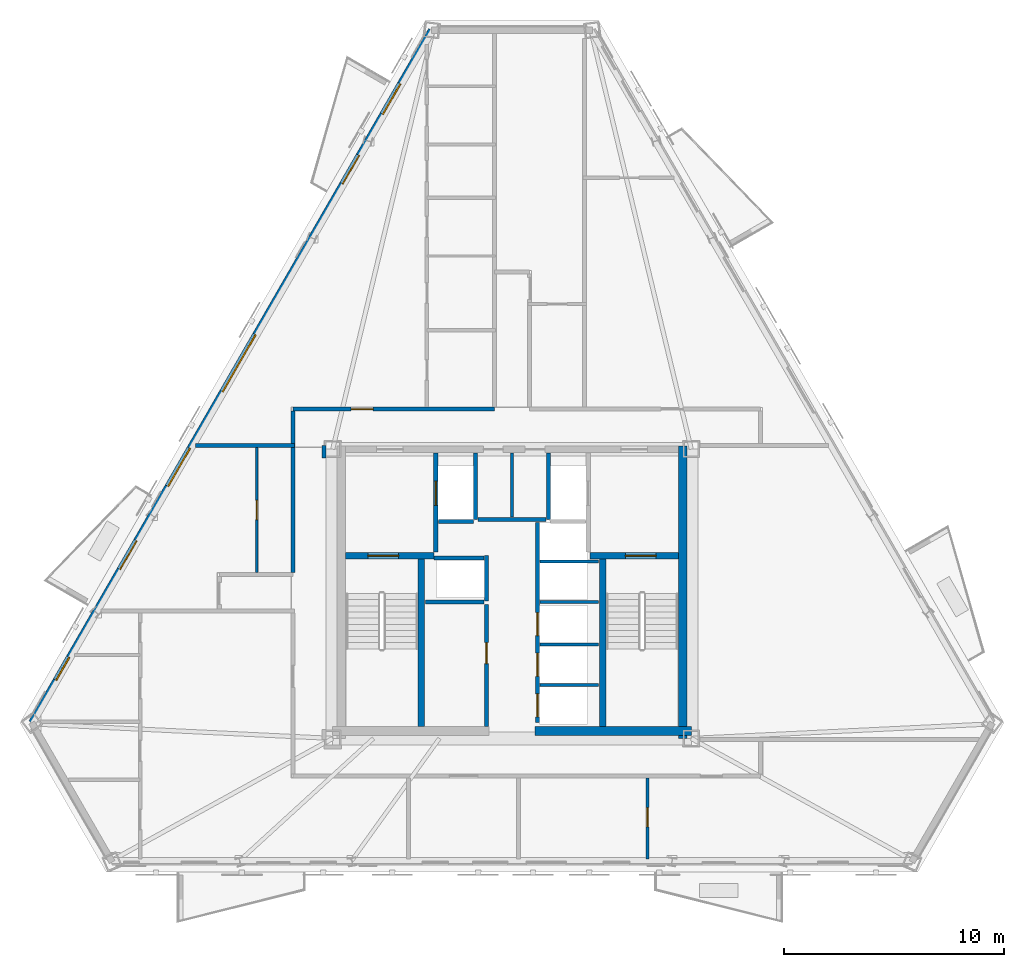
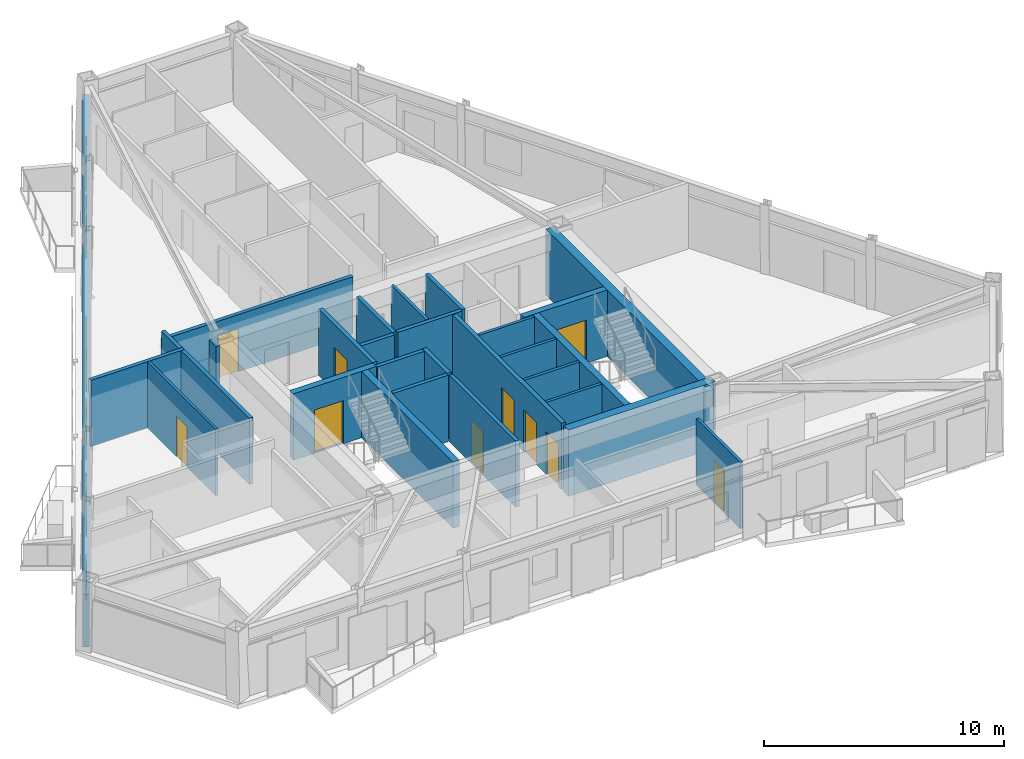
# One storey, part 3 of 9: 28 walls, 12 doors, 4 windows, 16 openings.
"""IFC4 building model written with IfcOpenShell, lengths in metres."""

import ifcopenshell
import ifcopenshell.guid

model = None  # the IFC model being written
_history = None  # IfcOwnerHistory: only IFC2X3 demands one
_inside = {}  # id of a spatial element -> (the spatial element, [elements in it])
_under = {}  # id of a project, library or spatial element -> (it, [spatial elements below it])
_declared = {}  # id of a project -> (the project, [libraries it declares])
_typed = {}  # id of a type object -> (the type object, [elements of that type])
_made_of = {}  # id of a material, layer set ... -> (it, [elements and type objects made of it])


def new_model(schema):
    """Start an empty IFC model of exactly this schema.

    Asked for "IFC4X3", IfcOpenShell would pick the latest addendum, in which some entities
    have other attributes; the version numbers below select the first issue.
    IFC2X3 requires an IfcOwnerHistory on every rooted entity: one is made here for all.
    """
    global model, _history
    if schema == "IFC4X3":
        model = ifcopenshell.file(schema_version=(4, 3, 0, 0))
    else:
        model = ifcopenshell.file(schema=schema)
    _inside.clear()
    _under.clear()
    _declared.clear()
    _typed.clear()
    _made_of.clear()
    _history = None
    if model.schema == "IFC2X3":
        org = make("IfcOrganization", Name="unknown")
        user = make(
            "IfcPersonAndOrganization",
            ThePerson=make("IfcPerson", FamilyName="unknown"),
            TheOrganization=org,
        )
        app = make(
            "IfcApplication",
            ApplicationDeveloper=org,
            Version="unknown",
            ApplicationFullName="unknown",
            ApplicationIdentifier="unknown",
        )
        _history = make(
            "IfcOwnerHistory",
            OwningUser=user,
            OwningApplication=app,
            ChangeAction="ADDED",
            CreationDate=0,
        )
    return model


def make(cls, **values):
    """One entity of the class cls with the attributes given. An attribute that is None is left unset."""
    return model.create_entity(
        cls, **{name: value for name, value in values.items() if value is not None}
    )


def rooted(cls, **values):
    """An entity with a GlobalId (a new one), such as an element, a storey or a relation."""
    return make(cls, GlobalId=ifcopenshell.guid.new(), OwnerHistory=_history, **values)


def si_unit(unit_type, name, prefix=None):
    """IfcSIUnit, for example si_unit("LENGTHUNIT", "METRE", prefix="MILLI")."""
    return make("IfcSIUnit", UnitType=unit_type, Prefix=prefix, Name=name)


def assignment(units):
    """IfcUnitAssignment: the units of a project."""
    return None if units is None else make("IfcUnitAssignment", Units=units)


def point(xyz):
    """IfcCartesianPoint."""
    return None if xyz is None else make("IfcCartesianPoint", Coordinates=xyz)


def direction(xyz):
    """IfcDirection."""
    return None if xyz is None else make("IfcDirection", DirectionRatios=xyz)


def frame(location, z_axis=None, x_axis=None):
    """IfcAxis2Placement3D, a coordinate frame: its origin and axes. An axis left out is left unset."""
    return make(
        "IfcAxis2Placement3D",
        Location=point(location),
        Axis=direction(z_axis),
        RefDirection=direction(x_axis),
    )


def frame_2d(location, x_axis=None):
    """IfcAxis2Placement2D, a coordinate frame in the plane: its origin and x axis."""
    return make(
        "IfcAxis2Placement2D", Location=point(location), RefDirection=direction(x_axis)
    )


def origin():
    """The frame at (0, 0, 0) with its axes left unset."""
    return frame((0.0, 0.0, 0.0))


def place(relative_to, where):
    """IfcLocalPlacement: puts the frame where relative to a parent placement (None: the world)."""
    return make(
        "IfcLocalPlacement", PlacementRelTo=relative_to, RelativePlacement=where
    )


def context(
    kind, dimensions, precision=None, world=None, true_north=None, identifier=None
):
    """IfcGeometricRepresentationContext, for example the 3D "Model" context."""
    return make(
        "IfcGeometricRepresentationContext",
        ContextIdentifier=identifier,
        ContextType=kind,
        CoordinateSpaceDimension=dimensions,
        Precision=precision,
        WorldCoordinateSystem=world,
        TrueNorth=true_north,
    )


def subcontext(parent, identifier, kind, view, scale=None):
    """IfcGeometricRepresentationSubContext, for example "Body" below "Model"."""
    return make(
        "IfcGeometricRepresentationSubContext",
        ContextIdentifier=identifier,
        ContextType=kind,
        ParentContext=parent,
        TargetScale=scale,
        TargetView=view,
    )


def project(units=None, contexts=None):
    """IfcProject with its units and contexts."""
    return rooted(
        "IfcProject",
        Name="project",
        RepresentationContexts=contexts,
        UnitsInContext=assignment(units),
    )


def spatial(cls, under=None, at=None, **own):
    """A site, building, storey or space (cls), placed at a placement, below another one or the project."""
    s = rooted(cls, ObjectPlacement=at, **own)
    if under is not None:
        _under.setdefault(under.id(), (under, []))[1].append(s)
    return s


def profile(cls, at=None, kind="AREA", **sizes):
    """A parametric profile (cls). Its sizes go by their IFC names, for example OverallWidth=200.0."""
    return make(cls, ProfileType=kind, Position=at, **sizes)


def rectangle(**sizes):
    """IfcRectangleProfileDef."""
    return profile("IfcRectangleProfileDef", **sizes)


def extrude(swept, where, along, depth):
    """IfcExtrudedAreaSolid: the profile swept, set in the frame where, extruded along a direction by depth."""
    return make(
        "IfcExtrudedAreaSolid",
        SweptArea=swept,
        Position=where,
        ExtrudedDirection=direction(along),
        Depth=depth,
    )


def shape(context_of_items, identifier, shape_type, items):
    """IfcShapeRepresentation: the items that make up one representation, for example the "Body"."""
    return make(
        "IfcShapeRepresentation",
        ContextOfItems=context_of_items,
        RepresentationIdentifier=identifier,
        RepresentationType=shape_type,
        Items=items,
    )


def material(Name=None, Category=None):
    """IfcMaterial."""
    return make("IfcMaterial", Name=Name, Category=Category)


def layer(
    of_material, thickness, ventilated=None, Name=None, Category=None, Priority=None
):
    """IfcMaterialLayer: one layer of a wall or slab, of a material (None: an air gap)."""
    return make(
        "IfcMaterialLayer",
        Material=of_material,
        LayerThickness=thickness,
        IsVentilated=ventilated,
        Name=Name,
        Category=Category,
        Priority=Priority,
    )


def layer_set(layers, Name=None):
    """IfcMaterialLayerSet."""
    return make("IfcMaterialLayerSet", MaterialLayers=layers, LayerSetName=Name)


def made_of(thing, what):
    """Note that an element or type object is made of a material, layer set ...; save() writes the relation."""
    if what is not None:
        _made_of.setdefault(what.id(), (what, []))[1].append(thing)
    return thing


def type_object(cls, material=None, **own):
    """A type object (cls), such as IfcWallType, which elements share."""
    return made_of(rooted(cls, **own), material)


def element(
    cls,
    number,
    at=None,
    inside=None,
    cuts=None,
    type_object=None,
    material=None,
    context=None,
    identifier="Body",
    shape_type=None,
    held_by="IfcProductDefinitionShape",
    body=None,
    shapes=None,
    **own,
):
    """One element of the class cls, such as IfcWall. Its Tag is "e" and its number.

    at: its placement. inside: the storey or other place that contains it. cuts: it is an
    opening in that element (IfcRelVoidsElement). A single representation is given by context,
    identifier, shape_type and body (its items); several are given by shapes. held_by: the class
    of the entity that holds the representations. save() writes the other relations.
    """
    e = rooted(cls, Tag="e%d" % number, ObjectPlacement=at, **own)
    if body is not None:
        shapes = [shape(context, identifier, shape_type, body)]
    if shapes is not None:
        e.Representation = make(held_by, Representations=shapes)
    if inside is not None:
        _inside.setdefault(inside.id(), (inside, []))[1].append(e)
    if cuts is not None:
        rooted(
            "IfcRelVoidsElement", RelatingBuildingElement=cuts, RelatedOpeningElement=e
        )
    if type_object is not None:
        _typed.setdefault(type_object.id(), (type_object, []))[1].append(e)
    return made_of(e, material)


def fill(opening, filler):
    """IfcRelFillsElement: the door or window that sits in an opening."""
    return rooted(
        "IfcRelFillsElement",
        RelatingOpeningElement=opening,
        RelatedBuildingElement=filler,
    )


def aggregate(whole, parts):
    """IfcRelAggregates: a whole, such as a stair, and the parts it consists of."""
    return rooted("IfcRelAggregates", RelatingObject=whole, RelatedObjects=parts)


def save(model, path):
    """Write the relations noted so far, then the file.

    IfcRelAggregates (storeys below a building ...), IfcRelContainedInSpatialStructure (elements
    in a storey), IfcRelDefinesByType, IfcRelAssociatesMaterial and IfcRelDeclares: one each for
    every whole, place, type object, material and project.
    """
    for whole, parts in _under.values():
        aggregate(whole, parts)
    for where, things in _inside.values():
        rooted(
            "IfcRelContainedInSpatialStructure",
            RelatedElements=things,
            RelatingStructure=where,
        )
    for kind, things in _typed.values():
        rooted("IfcRelDefinesByType", RelatedObjects=things, RelatingType=kind)
    for what, things in _made_of.values():
        rooted("IfcRelAssociatesMaterial", RelatedObjects=things, RelatingMaterial=what)
    for by, libraries in _declared.values():
        rooted("IfcRelDeclares", RelatingContext=by, RelatedDefinitions=libraries)
    model.write(path)


model = new_model("IFC4")

# Units and contexts
model_context = context("Model", 3, precision=1e-05, world=origin(), true_north=direction((0.0, 1.0)))
body_context = subcontext(model_context, "Body", "Model", "MODEL_VIEW")
ifc_project = project(units=[si_unit("LENGTHUNIT", "METRE"), si_unit("AREAUNIT", "SQUARE_METRE"), si_unit("VOLUMEUNIT", "CUBIC_METRE"), si_unit("PLANEANGLEUNIT", "RADIAN"), si_unit("MASSUNIT", "GRAM", prefix="KILO")], contexts=[model_context])

# Site, building, storey
site_placement = place(None, origin())
site = spatial("IfcSite", under=ifc_project, at=site_placement, CompositionType="ELEMENT")
building_placement = place(site_placement, origin())
building = spatial("IfcBuilding", under=site, at=building_placement, Name="Oramaril Tower", CompositionType="ELEMENT")
storey_placement = place(building_placement, frame((0.0, 0.0, 201.0)))
storey = spatial("IfcBuildingStorey", under=building, at=storey_placement, Name="L53", CompositionType="ELEMENT", Elevation=201.0)

# Wall, openings, doors, windows
ifc_material_1 = material(Name="Warm Cream Limestone", Category="masonry")
ifc_layer_1 = layer(ifc_material_1, 0.2900390625)
ifc_layer_set_1 = layer_set([ifc_layer_1], Name="WT-EXT29")
wall_type_1 = type_object("IfcWallType", Name="WT-EXT29", PredefinedType="SOLIDWALL", material=ifc_layer_set_1)
wall_1_placement = place(storey_placement, frame((33.8408203125, 43.200439453125, 0.0), z_axis=(0.0, 0.0, 1.0), x_axis=(-0.500001310321, -0.866024647269, 0.0)))
wall_1 = element("IfcWall", 1, at=wall_1_placement, inside=storey, type_object=wall_type_1, Name="L53 Tower Limestone Facade Wall 6M", PredefinedType="SOLIDWALL", context=body_context, shape_type="SweptSolid", body=[
    extrude(rectangle(XDim=36.35205078125, YDim=0.2900390625, at=frame_2d((18.176025390625, 0.0))), origin(), (0.0, 0.0, 1.0), 2.677001953125),
])
opening_1_placement = place(wall_1_placement, frame((6.579345703125, 0.0, 0.0)))
opening_1 = element("IfcOpeningElement", 2, at=opening_1_placement, cuts=wall_1, Name="Opening D-L53-BAL-NW1", PredefinedType="OPENING", context=body_context, shape_type="SweptSolid", body=[
    extrude(rectangle(XDim=1.5, YDim=2.199951171875, at=frame_2d((0.75, 1.10009765625))), frame((0.0, 0.14501953125, 0.0), z_axis=(0.0, -1.0, 0.0), x_axis=(1.0, 0.0, 0.0)), (0.0, 0.0, 1.0), 0.2900390625),
])
opening_2_placement = place(wall_1_placement, frame((26.817626953125, 0.0, 0.0)))
opening_2 = element("IfcOpeningElement", 3, at=opening_2_placement, cuts=wall_1, Name="Opening D-L53-BAL-NW2", PredefinedType="OPENING", context=body_context, shape_type="SweptSolid", body=[
    extrude(rectangle(XDim=1.5, YDim=2.199951171875, at=frame_2d((0.75, 1.10009765625))), frame((0.0, 0.14501953125, 0.0), z_axis=(0.0, -1.0, 0.0), x_axis=(1.0, 0.0, 0.0)), (0.0, 0.0, 1.0), 0.2900390625),
])
opening_3_placement = place(wall_1_placement, frame((32.92431640625, 0.0, 0.85009765625)))
opening_3 = element("IfcOpeningElement", 4, at=opening_3_placement, cuts=wall_1, Name="Opening WN-09", PredefinedType="OPENING", context=body_context, shape_type="SweptSolid", body=[
    extrude(rectangle(XDim=1.199951171875, YDim=1.47998046875, at=frame_2d((0.60009765625, 0.739990234375))), frame((0.0, 0.14501953125, 0.0), z_axis=(0.0, -1.0, 0.0), x_axis=(1.0, 0.0, 0.0)), (0.0, 0.0, 1.0), 0.2900390625),
])
opening_4_placement = place(wall_1_placement, frame((21.949462890625, 0.0, 0.85009765625)))
opening_4 = element("IfcOpeningElement", 5, at=opening_4_placement, cuts=wall_1, Name="Opening WN-05", PredefinedType="OPENING", context=body_context, shape_type="SweptSolid", body=[
    extrude(rectangle(XDim=2.0, YDim=1.717041015625, at=frame_2d((1.0, 0.8583984375))), frame((0.0, 0.14501953125, 0.0), z_axis=(0.0, -1.0, 0.0), x_axis=(1.0, 0.0, 0.0)), (0.0, 0.0, 1.0), 0.2900390625),
])
opening_5_placement = place(wall_1_placement, frame((2.823486328125, 0.0, 0.85009765625)))
opening_5 = element("IfcOpeningElement", 6, at=opening_5_placement, cuts=wall_1, Name="Opening WN-07", PredefinedType="OPENING", context=body_context, shape_type="SweptSolid", body=[
    extrude(rectangle(XDim=1.60009765625, YDim=1.699951171875, at=frame_2d((0.800048828125, 0.85009765625))), frame((0.0, 0.14501953125, 0.0), z_axis=(0.0, -1.0, 0.0), x_axis=(1.0, 0.0, 0.0)), (0.0, 0.0, 1.0), 0.2900390625),
])
opening_6_placement = place(wall_1_placement, frame((15.990478515625, 0.0, 0.85009765625)))
opening_6 = element("IfcOpeningElement", 7, at=opening_6_placement, cuts=wall_1, Name="Opening WN-10", PredefinedType="OPENING", context=body_context, shape_type="SweptSolid", body=[
    extrude(rectangle(XDim=3.0, YDim=1.717041015625, at=frame_2d((1.5, 0.8583984375))), frame((0.0, 0.14501953125, 0.0), z_axis=(0.0, -1.0, 0.0), x_axis=(1.0, 0.0, 0.0)), (0.0, 0.0, 1.0), 0.2900390625),
])
ifc_material_2 = material(Name="Anodised Aluminium 6063-T6", Category="aluminium")
door_type_1 = type_object("IfcDoorType", Name="DT-BAL", OperationType="NOTDEFINED", PredefinedType="DOOR", material=ifc_material_2)
door_1_placement = place(opening_1_placement, origin())
door_1 = element("IfcDoor", 8, at=door_1_placement, inside=storey, type_object=door_type_1, Name="L53 Balcony Glazed Door L53-BAL-NW1", OperationType="SINGLE_SWING_RIGHT", OverallHeight=2.199951171875, OverallWidth=1.5, PredefinedType="DOOR", context=body_context, shape_type="SweptSolid", body=[
    extrude(rectangle(XDim=1.5, YDim=2.199951171875, at=frame_2d((0.75, 1.10009765625))), frame((0.0, 0.02490234375, 0.0), z_axis=(0.0, -1.0, 0.0), x_axis=(1.0, 0.0, 0.0)), (0.0, 0.0, 1.0), 0.050048828125),
])
fill(opening_1, door_1)
door_2_placement = place(opening_2_placement, origin())
door_2 = element("IfcDoor", 9, at=door_2_placement, inside=storey, type_object=door_type_1, Name="L53 Balcony Glazed Door L53-BAL-NW2", OperationType="SINGLE_SWING_LEFT", OverallHeight=2.199951171875, OverallWidth=1.5, PredefinedType="DOOR", context=body_context, shape_type="SweptSolid", body=[
    extrude(rectangle(XDim=1.5, YDim=2.199951171875, at=frame_2d((0.75, 1.10009765625))), frame((0.0, 0.02490234375, 0.0), z_axis=(0.0, -1.0, 0.0), x_axis=(1.0, 0.0, 0.0)), (0.0, 0.0, 1.0), 0.050048828125),
])
fill(opening_2, door_2)
ifc_material_3 = material(Name="Coastal Low-E Insulated Glass", Category="glass")
window_type_1 = type_object("IfcWindowType", Name="WNT-05", PartitioningType="SINGLE_PANEL", PredefinedType="WINDOW", material=ifc_material_3)
window_1_placement = place(opening_4_placement, origin())
window_1 = element("IfcWindow", 10, at=window_1_placement, inside=storey, type_object=window_type_1, Name="L53 Chicago Bay Window WN-05", OverallHeight=1.717041015625, OverallWidth=2.0, PartitioningType="SINGLE_PANEL", PredefinedType="WINDOW", context=body_context, shape_type="SweptSolid", body=[
    extrude(rectangle(XDim=2.0, YDim=1.717041015625, at=frame_2d((1.0, 0.8583984375))), frame((0.0, 0.030029296875, 0.0), z_axis=(0.0, -1.0, 0.0), x_axis=(1.0, 0.0, 0.0)), (0.0, 0.0, 1.0), 0.06005859375),
])
fill(opening_4, window_1)
ifc_material_4 = material(Name="Coastal Low-E Insulated Glass", Category="glass")
window_type_2 = type_object("IfcWindowType", Name="WNT-07", PartitioningType="SINGLE_PANEL", PredefinedType="WINDOW", material=ifc_material_4)
window_2_placement = place(opening_5_placement, origin())
window_2 = element("IfcWindow", 11, at=window_2_placement, inside=storey, type_object=window_type_2, Name="L53 Chicago Bay Window WN-07", OverallHeight=1.699951171875, OverallWidth=1.60009765625, PartitioningType="SINGLE_PANEL", PredefinedType="WINDOW", context=body_context, shape_type="SweptSolid", body=[
    extrude(rectangle(XDim=1.60009765625, YDim=1.699951171875, at=frame_2d((0.800048828125, 0.85009765625))), frame((0.0, 0.030029296875, 0.0), z_axis=(0.0, -1.0, 0.0), x_axis=(1.0, 0.0, 0.0)), (0.0, 0.0, 1.0), 0.06005859375),
])
fill(opening_5, window_2)
ifc_material_5 = material(Name="Coastal Low-E Insulated Glass", Category="glass")
window_type_3 = type_object("IfcWindowType", Name="WNT-09", PartitioningType="SINGLE_PANEL", PredefinedType="WINDOW", material=ifc_material_5)
window_3_placement = place(opening_3_placement, origin())
window_3 = element("IfcWindow", 12, at=window_3_placement, inside=storey, type_object=window_type_3, Name="L53 Chicago Bay Window WN-09", OverallHeight=1.47998046875, OverallWidth=1.199951171875, PartitioningType="SINGLE_PANEL", PredefinedType="WINDOW", context=body_context, shape_type="SweptSolid", body=[
    extrude(rectangle(XDim=1.199951171875, YDim=1.47998046875, at=frame_2d((0.60009765625, 0.739990234375))), frame((0.0, 0.030029296875, 0.0), z_axis=(0.0, -1.0, 0.0), x_axis=(1.0, 0.0, 0.0)), (0.0, 0.0, 1.0), 0.06005859375),
])
fill(opening_3, window_3)
ifc_material_6 = material(Name="Coastal Low-E Insulated Glass", Category="glass")
window_type_4 = type_object("IfcWindowType", Name="WNT-10", PartitioningType="SINGLE_PANEL", PredefinedType="WINDOW", material=ifc_material_6)
window_4_placement = place(opening_6_placement, origin())
window_4 = element("IfcWindow", 13, at=window_4_placement, inside=storey, type_object=window_type_4, Name="L53 Chicago Bay Window WN-10", OverallHeight=1.717041015625, OverallWidth=3.0, PartitioningType="SINGLE_PANEL", PredefinedType="WINDOW", context=body_context, shape_type="SweptSolid", body=[
    extrude(rectangle(XDim=3.0, YDim=1.717041015625, at=frame_2d((1.5, 0.8583984375))), frame((0.0, 0.030029296875, 0.0), z_axis=(0.0, -1.0, 0.0), x_axis=(1.0, 0.0, 0.0)), (0.0, 0.0, 1.0), 0.06005859375),
])
fill(opening_6, window_4)

# Wall, opening, door
ifc_material_7 = material(Name="Acoustic Gypsum Board Partition")
ifc_layer_2 = layer(ifc_material_7, 0.1201171875)
ifc_layer_set_2 = layer_set([ifc_layer_2], Name="WT-PT12")
wall_type_2 = type_object("IfcWallType", Name="WT-PT12", PredefinedType="PARTITIONING", material=ifc_layer_set_2)
wall_2_placement = place(storey_placement, frame((25.89990234375, 18.5439453125, 0.0), z_axis=(0.0, 0.0, 1.0), x_axis=(0.0, 1.0, 0.0)))
wall_2 = element("IfcWall", 14, at=wall_2_placement, inside=storey, type_object=wall_type_2, Name="L53 Interior Partition PT-12", PredefinedType="PARTITIONING", context=body_context, shape_type="SweptSolid", body=[
    extrude(rectangle(XDim=5.68212890625, YDim=0.1201171875, at=frame_2d((2.841064453125, 0.0))), origin(), (0.0, 0.0, 1.0), 3.3798828125),
])
opening_7_placement = place(wall_2_placement, frame((2.40087890625, 0.0, 0.0)))
opening_7 = element("IfcOpeningElement", 15, at=opening_7_placement, cuts=wall_2, Name="Opening D-L53-12", PredefinedType="OPENING", context=body_context, shape_type="SweptSolid", body=[
    extrude(rectangle(XDim=0.8798828125, YDim=2.080078125, at=frame_2d((0.43994140625, 1.0400390625))), frame((0.0, 0.06005859375, 0.0), z_axis=(0.0, -1.0, 0.0), x_axis=(1.0, 0.0, 0.0)), (0.0, 0.0, 1.0), 0.1201171875),
])
ifc_material_8 = material(Name="FSC Brazilian Freijo Hardwood", Category="wood")
door_type_2 = type_object("IfcDoorType", Name="DT-BATH", OperationType="NOTDEFINED", PredefinedType="DOOR", material=ifc_material_8)
door_3_placement = place(opening_7_placement, origin())
door_3 = element("IfcDoor", 16, at=door_3_placement, inside=storey, type_object=door_type_2, Name="L53 Flat L53-U3 Bathroom Door D-L53-12", OperationType="SINGLE_SWING_RIGHT", OverallHeight=2.080078125, OverallWidth=0.8798828125, PredefinedType="DOOR", context=body_context, shape_type="SweptSolid", body=[
    extrude(rectangle(XDim=0.8798828125, YDim=2.080078125, at=frame_2d((0.43994140625, 1.0400390625))), frame((0.0, 0.02490234375, 0.0), z_axis=(0.0, -1.0, 0.0), x_axis=(1.0, 0.0, 0.0)), (0.0, 0.0, 1.0), 0.050048828125),
])
fill(opening_7, door_3)

# Walls
ifc_material_9 = material(Name="Acoustic Gypsum Board Partition")
ifc_layer_3 = layer(ifc_material_9, 0.139892578125)
ifc_layer_set_3 = layer_set([ifc_layer_3], Name="WT-PT14")
wall_type_3 = type_object("IfcWallType", Name="WT-PT14", PredefinedType="PARTITIONING", material=ifc_layer_set_3)
for number, where, z_axis, x_axis, name in (
    (17, (38.780029296875, 13.419921875, 0.0), (0.0, 0.0, 1.0), (1.0, 0.0, 0.0), "L53 East Lift Divider"),
    (18, (38.780029296875, 15.27001953125, 0.0), (0.0, 0.0, 1.0), (1.0, 0.0, 0.0), "L53 East Lift Divider"),
    (19, (38.780029296875, 17.199951171875, 0.0), (0.0, 0.0, 1.0), (1.0, 0.0, 0.0), "L53 East Lift Divider"),
    (20, (38.780029296875, 19.050048828125, 0.0), (0.0, 0.0, 1.0), (1.0, 0.0, 0.0), "L53 East Lift Divider"),
):
    element("IfcWall", number, at=place(storey_placement, frame(where, z_axis=z_axis, x_axis=x_axis)), inside=storey, type_object=wall_type_3, Name=name, PredefinedType="PARTITIONING", context=body_context, shape_type="SweptSolid", body=[
        extrude(rectangle(XDim=2.659912109375, YDim=0.139892578125, at=frame_2d((1.330078125, 0.0))), origin(), (0.0, 0.0, 1.0), 3.3798828125),
    ])
wall_3_placement = place(storey_placement, frame((37.5, 21.06005859375, 0.0), z_axis=(0.0, 0.0, 1.0), x_axis=(0.0, 1.0, 0.0)))
element("IfcWall", 21, at=wall_3_placement, inside=storey, type_object=wall_type_3, Name="L53 Core Service Divider", PredefinedType="PARTITIONING", context=body_context, shape_type="SweptSolid", body=[
    extrude(rectangle(XDim=2.919921875, YDim=0.139892578125, at=frame_2d((1.4599609375, 0.0))), origin(), (0.0, 0.0, 1.0), 3.3798828125),
])

# Wall, opening, door
wall_4_placement = place(storey_placement, frame((43.659912109375, 5.52978515625, 0.0), z_axis=(0.0, 0.0, 1.0), x_axis=(0.0, 1.0, 0.0)))
wall_4 = element("IfcWall", 22, at=wall_4_placement, inside=storey, type_object=wall_type_3, Name="L53 Interior Partition PT-14", PredefinedType="PARTITIONING", context=body_context, shape_type="SweptSolid", body=[
    extrude(rectangle(XDim=3.67626953125, YDim=0.139892578125, at=frame_2d((1.838134765625, 0.0))), origin(), (0.0, 0.0, 1.0), 3.3798828125),
])
opening_8_placement = place(wall_4_placement, frame((1.44580078125, 0.0, 0.0)))
opening_8 = element("IfcOpeningElement", 23, at=opening_8_placement, cuts=wall_4, Name="Opening D-L53-21", PredefinedType="OPENING", context=body_context, shape_type="SweptSolid", body=[
    extrude(rectangle(XDim=0.8798828125, YDim=2.080078125, at=frame_2d((0.43994140625, 1.0400390625))), frame((0.0, 0.06982421875, 0.0), z_axis=(0.0, -1.0, 0.0), x_axis=(1.0, 0.0, 0.0)), (0.0, 0.0, 1.0), 0.139892578125),
])
door_4_placement = place(opening_8_placement, origin())
door_4 = element("IfcDoor", 24, at=door_4_placement, inside=storey, type_object=door_type_2, Name="L53 Flat L53-U1 Bathroom Door D-L53-21", OperationType="SINGLE_SWING_LEFT", OverallHeight=2.080078125, OverallWidth=0.8798828125, PredefinedType="DOOR", context=body_context, shape_type="SweptSolid", body=[
    extrude(rectangle(XDim=0.8798828125, YDim=2.080078125, at=frame_2d((0.43994140625, 1.0400390625))), frame((0.0, 0.02490234375, 0.0), z_axis=(0.0, -1.0, 0.0), x_axis=(1.0, 0.0, 0.0)), (0.0, 0.0, 1.0), 0.050048828125),
])
fill(opening_8, door_4)

# Walls
ifc_material_10 = material(Name="Autoclaved Cellular Concrete Block", Category="concrete")
ifc_layer_4 = layer(ifc_material_10, 0.179931640625)
ifc_layer_set_4 = layer_set([ifc_layer_4], Name="WT-PT18")
wall_type_4 = type_object("IfcWallType", Name="WT-PT18", PredefinedType="PARTITIONING", material=ifc_layer_set_4)
wall_5_placement = place(storey_placement, frame((35.840087890625, 20.9599609375, 0.0), z_axis=(0.0, 0.0, 1.0), x_axis=(0.0, 1.0, 0.0)))
element("IfcWall", 25, at=wall_5_placement, inside=storey, type_object=wall_type_4, Name="L53 FL-1 East Shaft Wall", PredefinedType="PARTITIONING", context=body_context, shape_type="SweptSolid", body=[
    extrude(rectangle(XDim=3.02001953125, YDim=0.179931640625, at=frame_2d((1.510009765625, 0.0))), origin(), (0.0, 0.0, 1.0), 3.3798828125),
])
wall_6_placement = place(storey_placement, frame((34.159912109375, 20.860107421875, 0.0), z_axis=(0.0, 0.0, 1.0), x_axis=(1.0, 0.0, 0.0)))
element("IfcWall", 26, at=wall_6_placement, inside=storey, type_object=wall_type_4, Name="L53 FL-1 South Shaft Wall", PredefinedType="PARTITIONING", context=body_context, shape_type="SweptSolid", body=[
    extrude(rectangle(XDim=1.580078125, YDim=0.179931640625, at=frame_2d((0.7900390625, 0.0))), origin(), (0.0, 0.0, 1.0), 3.3798828125),
])
wall_7_placement = place(storey_placement, frame((39.159912109375, 20.9599609375, 0.0), z_axis=(0.0, 0.0, 1.0), x_axis=(0.0, 1.0, 0.0)))
element("IfcWall", 27, at=wall_7_placement, inside=storey, type_object=wall_type_4, Name="L53 FL-2 West Shaft Wall", PredefinedType="PARTITIONING", context=body_context, shape_type="SweptSolid", body=[
    extrude(rectangle(XDim=3.02001953125, YDim=0.179931640625, at=frame_2d((1.510009765625, 0.0))), origin(), (0.0, 0.0, 1.0), 3.3798828125),
])
wall_8_placement = place(storey_placement, frame((33.949951171875, 19.199951171875, 0.0), z_axis=(0.0, 0.0, 1.0), x_axis=(1.0, 0.0, 0.0)))
element("IfcWall", 28, at=wall_8_placement, inside=storey, type_object=wall_type_4, Name="L53 High-Rise Lift H1 North Shaft Wall", PredefinedType="PARTITIONING", context=body_context, shape_type="SweptSolid", body=[
    extrude(rectangle(XDim=2.27001953125, YDim=0.179931640625, at=frame_2d((1.135009765625, 0.0))), origin(), (0.0, 0.0, 1.0), 3.3798828125),
])
wall_9_placement = place(storey_placement, frame((33.56005859375, 17.199951171875, 0.0), z_axis=(0.0, 0.0, 1.0), x_axis=(1.0, 0.0, 0.0)))
element("IfcWall", 29, at=wall_9_placement, inside=storey, type_object=wall_type_4, Name="L53 High-Rise Lift H1 South Wall", PredefinedType="PARTITIONING", context=body_context, shape_type="SweptSolid", body=[
    extrude(rectangle(XDim=2.659912109375, YDim=0.179931640625, at=frame_2d((1.330078125, 0.0))), origin(), (0.0, 0.0, 1.0), 3.3798828125),
])

# Wall, opening, door
wall_10_placement = place(storey_placement, frame((36.340087890625, 11.550048828125, 0.0), z_axis=(0.0, 0.0, 1.0), x_axis=(0.0, 1.0, 0.0)))
wall_10 = element("IfcWall", 30, at=wall_10_placement, inside=storey, type_object=wall_type_4, Name="L53 Freed Shaft Study East Wall", PredefinedType="PARTITIONING", context=body_context, shape_type="SweptSolid", body=[
    extrude(rectangle(XDim=5.550048828125, YDim=0.179931640625, at=frame_2d((2.77490234375, 0.0))), origin(), (0.0, 0.0, 1.0), 3.3798828125),
])
opening_9_placement = place(wall_10_placement, frame((2.85009765625, 0.0, 0.0)))
opening_9 = element("IfcOpeningElement", 31, at=opening_9_placement, cuts=wall_10, Name="Opening D-L53-FL1", PredefinedType="OPENING", context=body_context, shape_type="SweptSolid", body=[
    extrude(rectangle(XDim=0.949951171875, YDim=2.10009765625, at=frame_2d((0.47509765625, 1.050048828125))), frame((0.0, 0.08984375, 0.0), z_axis=(0.0, -1.0, 0.0), x_axis=(1.0, 0.0, 0.0)), (0.0, 0.0, 1.0), 0.179931640625),
])
ifc_material_11 = material(Name="FSC Brazilian Freijo Hardwood", Category="wood")
door_type_3 = type_object("IfcDoorType", Name="DT-STDY", OperationType="NOTDEFINED", PredefinedType="DOOR", material=ifc_material_11)
door_5_placement = place(opening_9_placement, origin())
door_5 = element("IfcDoor", 32, at=door_5_placement, inside=storey, type_object=door_type_3, Name="L53 L53 Residents Study Alcove Door", OperationType="SINGLE_SWING_LEFT", OverallHeight=2.10009765625, OverallWidth=0.949951171875, PredefinedType="DOOR", context=body_context, shape_type="SweptSolid", body=[
    extrude(rectangle(XDim=0.949951171875, YDim=2.10009765625, at=frame_2d((0.47509765625, 1.050048828125))), frame((0.0, 0.02490234375, 0.0), z_axis=(0.0, -1.0, 0.0), x_axis=(1.0, 0.0, 0.0)), (0.0, 0.0, 1.0), 0.050048828125),
])
fill(opening_9, door_5)

# Walls
wall_11_placement = place(storey_placement, frame((35.949951171875, 20.949951171875, 0.0), z_axis=(0.0, 0.0, 1.0), x_axis=(1.0, 0.0, 0.0)))
element("IfcWall", 33, at=wall_11_placement, inside=storey, type_object=wall_type_4, Name="L53 Lift Lobby North Partition", PredefinedType="PARTITIONING", context=body_context, shape_type="SweptSolid", body=[
    extrude(rectangle(XDim=3.10009765625, YDim=0.179931640625, at=frame_2d((1.550048828125, 0.0))), origin(), (0.0, 0.0, 1.0), 3.3798828125),
])
wall_12_placement = place(storey_placement, frame((23.112060546875, 24.320068359375, 0.0), z_axis=(0.0, 0.0, 1.0), x_axis=(1.0, 0.0, 0.0)))
element("IfcWall", 34, at=wall_12_placement, inside=storey, type_object=wall_type_4, Name="L53 Interior Partition PT-18", PredefinedType="PARTITIONING", context=body_context, shape_type="SweptSolid", body=[
    extrude(rectangle(XDim=4.498046875, YDim=0.179931640625, at=frame_2d((2.2490234375, 0.0))), origin(), (0.0, 0.0, 1.0), 3.3798828125),
])

# Wall, opening, door
wall_13_placement = place(storey_placement, frame((27.550048828125, 25.969970703125, 0.0), z_axis=(0.0, 0.0, 1.0), x_axis=(1.0, 0.0, 0.0)))
wall_13 = element("IfcWall", 35, at=wall_13_placement, inside=storey, type_object=wall_type_4, Name="L53 Interior Partition PT-18", PredefinedType="PARTITIONING", context=body_context, shape_type="SweptSolid", body=[
    extrude(rectangle(XDim=9.14990234375, YDim=0.179931640625, at=frame_2d((4.574951171875, 0.0))), origin(), (0.0, 0.0, 1.0), 2.9130859375),
])
opening_10_placement = place(wall_13_placement, frame((2.634521484375, 0.0, 0.0)))
opening_10 = element("IfcOpeningElement", 36, at=opening_10_placement, cuts=wall_13, Name="Opening D-L53-03", PredefinedType="OPENING", context=body_context, shape_type="SweptSolid", body=[
    extrude(rectangle(XDim=1.0, YDim=2.179931640625, at=frame_2d((0.5, 1.08984375))), frame((0.0, 0.08984375, 0.0), z_axis=(0.0, -1.0, 0.0), x_axis=(1.0, 0.0, 0.0)), (0.0, 0.0, 1.0), 0.179931640625),
])
ifc_material_12 = material(Name="FSC Brazilian Freijo Hardwood", Category="wood")
door_type_4 = type_object("IfcDoorType", Name="DT-APT", OperationType="NOTDEFINED", PredefinedType="DOOR", material=ifc_material_12)
door_6_placement = place(opening_10_placement, origin())
door_6 = element("IfcDoor", 37, at=door_6_placement, inside=storey, type_object=door_type_4, Name="L53 Flat L53-U5 Penthouse 2-Bedroom Living and Dining Room Door D-L53-03", OperationType="SINGLE_SWING_LEFT", OverallHeight=2.179931640625, OverallWidth=1.0, PredefinedType="DOOR", context=body_context, shape_type="SweptSolid", body=[
    extrude(rectangle(XDim=1.0, YDim=2.179931640625, at=frame_2d((0.5, 1.08984375))), frame((0.0, 0.02490234375, 0.0), z_axis=(0.0, -1.0, 0.0), x_axis=(1.0, 0.0, 0.0)), (0.0, 0.0, 1.0), 0.050048828125),
])
fill(opening_10, door_6)

# Walls
wall_14_placement = place(storey_placement, frame((27.550048828125, 18.5439453125, 0.0), z_axis=(0.0, 0.0, 1.0), x_axis=(0.0, 1.0, 0.0)))
element("IfcWall", 38, at=wall_14_placement, inside=storey, type_object=wall_type_4, Name="L53 Interior Partition PT-18", PredefinedType="PARTITIONING", context=body_context, shape_type="SweptSolid", body=[
    extrude(rectangle(XDim=7.33203125, YDim=0.179931640625, at=frame_2d((3.666015625, 0.0))), origin(), (0.0, 0.0, 1.0), 3.3798828125),
])
wall_15_placement = place(storey_placement, frame((28.949951171875, 23.7548828125, 0.0), z_axis=(0.0, 0.0, 1.0), x_axis=(0.0, 1.0, 0.0)))
element("IfcWall", 39, at=wall_15_placement, inside=storey, type_object=wall_type_4, Name="L53 Interior Partition PT-18", PredefinedType="PARTITIONING", context=body_context, shape_type="SweptSolid", body=[
    extrude(rectangle(XDim=0.565185546875, YDim=0.179931640625, at=frame_2d((0.28271484375, 0.0))), origin(), (0.0, 0.0, 1.0), 3.3798828125),
])

# Wall, opening, door
ifc_material_13 = material(Name="Concrete C50/60", Category="concrete")
ifc_layer_5 = layer(ifc_material_13, 0.300048828125)
ifc_layer_set_5 = layer_set([ifc_layer_5], Name="WT-SH30")
wall_type_5 = type_object("IfcWallType", Name="WT-SH30", PredefinedType="SHEAR", material=ifc_layer_set_5)
wall_16_placement = place(storey_placement, frame((29.93994140625, 19.31005859375, 0.0), z_axis=(0.0, 0.0, 1.0), x_axis=(1.0, 0.0, 0.0)))
wall_16 = element("IfcWall", 40, at=wall_16_placement, inside=storey, type_object=wall_type_5, Name="L53 Core Shear Wall CW-ST1N", PredefinedType="SHEAR", context=body_context, shape_type="SweptSolid", body=[
    extrude(rectangle(XDim=4.010009765625, YDim=0.300048828125, at=frame_2d((2.0048828125, 0.0))), origin(), (0.0, 0.0, 1.0), 3.3798828125),
])
opening_11_placement = place(wall_16_placement, frame((1.010009765625, 0.0, 0.0)))
opening_11 = element("IfcOpeningElement", 41, at=opening_11_placement, cuts=wall_16, Name="Opening D-L53-ST1", PredefinedType="OPENING", context=body_context, shape_type="SweptSolid", body=[
    extrude(rectangle(XDim=1.39990234375, YDim=2.199951171875, at=frame_2d((0.699951171875, 1.10009765625))), frame((0.0, 0.14990234375, 0.0), z_axis=(0.0, -1.0, 0.0), x_axis=(1.0, 0.0, 0.0)), (0.0, 0.0, 1.0), 0.300048828125),
])
ifc_material_14 = material(Name="Painted Galvanised Steel", Category="steel")
door_type_5 = type_object("IfcDoorType", Name="DT-ST", OperationType="NOTDEFINED", PredefinedType="DOOR", material=ifc_material_14)
door_7_placement = place(opening_11_placement, origin())
door_7 = element("IfcDoor", 42, at=door_7_placement, inside=storey, type_object=door_type_5, Name="L53 Protected Stair ST-1 Fire Door", OperationType="SINGLE_SWING_LEFT", OverallHeight=2.199951171875, OverallWidth=1.39990234375, PredefinedType="DOOR", context=body_context, shape_type="SweptSolid", body=[
    extrude(rectangle(XDim=1.39990234375, YDim=2.199951171875, at=frame_2d((0.699951171875, 1.10009765625))), frame((0.0, 0.02490234375, 0.0), z_axis=(0.0, -1.0, 0.0), x_axis=(1.0, 0.0, 0.0)), (0.0, 0.0, 1.0), 0.050048828125),
])
fill(opening_11, door_7)

wall_17_placement = place(storey_placement, frame((41.050048828125, 19.31005859375, 0.0), z_axis=(0.0, 0.0, 1.0), x_axis=(1.0, 0.0, 0.0)))
wall_17 = element("IfcWall", 43, at=wall_17_placement, inside=storey, type_object=wall_type_5, Name="L53 Core Shear Wall CW-ST2N", PredefinedType="SHEAR", context=body_context, shape_type="SweptSolid", body=[
    extrude(rectangle(XDim=4.010009765625, YDim=0.300048828125, at=frame_2d((2.0048828125, 0.0))), origin(), (0.0, 0.0, 1.0), 3.3798828125),
])
opening_12_placement = place(wall_17_placement, frame((1.60009765625, 0.0, 0.0)))
opening_12 = element("IfcOpeningElement", 44, at=opening_12_placement, cuts=wall_17, Name="Opening D-L53-ST2", PredefinedType="OPENING", context=body_context, shape_type="SweptSolid", body=[
    extrude(rectangle(XDim=1.39990234375, YDim=2.199951171875, at=frame_2d((0.699951171875, 1.10009765625))), frame((0.0, 0.14990234375, 0.0), z_axis=(0.0, -1.0, 0.0), x_axis=(1.0, 0.0, 0.0)), (0.0, 0.0, 1.0), 0.300048828125),
])
door_8_placement = place(opening_12_placement, origin())
door_8 = element("IfcDoor", 45, at=door_8_placement, inside=storey, type_object=door_type_5, Name="L53 Protected Stair ST-2 Fire Door", OperationType="SINGLE_SWING_RIGHT", OverallHeight=2.199951171875, OverallWidth=1.39990234375, PredefinedType="DOOR", context=body_context, shape_type="SweptSolid", body=[
    extrude(rectangle(XDim=1.39990234375, YDim=2.199951171875, at=frame_2d((0.699951171875, 1.10009765625))), frame((0.0, 0.02490234375, 0.0), z_axis=(0.0, -1.0, 0.0), x_axis=(1.0, 0.0, 0.0)), (0.0, 0.0, 1.0), 0.050048828125),
])
fill(opening_12, door_8)

# Walls
for number, where, z_axis, x_axis, name in (
    (46, (33.3798828125, 11.5400390625, 0.0), (0.0, 0.0, 1.0), (0.0, 1.0, 0.0), "L53 Core Shear Wall CW-ST1E"),
    (47, (41.6201171875, 11.5400390625, 0.0), (0.0, 0.0, 1.0), (0.0, 1.0, 0.0), "L53 Core Shear Wall CW-ST2W"),
):
    element("IfcWall", number, at=place(storey_placement, frame(where, z_axis=z_axis, x_axis=x_axis)), inside=storey, type_object=wall_type_5, Name=name, PredefinedType="SHEAR", context=body_context, shape_type="SweptSolid", body=[
        extrude(rectangle(XDim=7.619873046875, YDim=0.300048828125, at=frame_2d((3.81005859375, 0.0))), origin(), (0.0, 0.0, 1.0), 3.3798828125),
    ])
ifc_material_15 = material(Name="Concrete C50/60", Category="concrete")
ifc_layer_6 = layer(ifc_material_15, 0.39990234375)
ifc_layer_set_6 = layer_set([ifc_layer_6], Name="WT-SH40")
wall_type_6 = type_object("IfcWallType", Name="WT-SH40", PredefinedType="SHEAR", material=ifc_layer_set_6)
wall_18_placement = place(storey_placement, frame((45.260009765625, 11.0, 0.0), z_axis=(0.0, 0.0, 1.0), x_axis=(0.0, 1.0, 0.0)))
element("IfcWall", 48, at=wall_18_placement, inside=storey, type_object=wall_type_6, Name="L53 Core Shear Wall CW-E", PredefinedType="SHEAR", context=body_context, shape_type="SweptSolid", body=[
    extrude(rectangle(XDim=13.300048828125, YDim=0.39990234375, at=frame_2d((6.64990234375, 0.0))), origin(), (0.0, 0.0, 1.0), 3.3798828125),
])
wall_19_placement = place(storey_placement, frame((38.550048828125, 11.340087890625, 0.0), z_axis=(0.0, 0.0, 1.0), x_axis=(1.0, 0.0, 0.0)))
element("IfcWall", 49, at=wall_19_placement, inside=storey, type_object=wall_type_6, Name="L53 Core Shear Wall CW-SE", PredefinedType="SHEAR", context=body_context, shape_type="SweptSolid", body=[
    extrude(rectangle(XDim=7.099853515625, YDim=0.39990234375, at=frame_2d((3.5498046875, 0.0))), origin(), (0.0, 0.0, 1.0), 3.3798828125),
])

# Wall, opening, door
ifc_material_16 = material(Name="Autoclaved Cellular Concrete Block", Category="concrete")
ifc_layer_7 = layer(ifc_material_16, 0.199951171875)
ifc_layer_set_7 = layer_set([ifc_layer_7], Name="WT-SHF20")
wall_type_7 = type_object("IfcWallType", Name="WT-SHF20", PredefinedType="PARTITIONING", material=ifc_layer_set_7)
wall_20_placement = place(storey_placement, frame((34.0400390625, 19.47998046875, 0.0), z_axis=(0.0, 0.0, 1.0), x_axis=(0.0, 1.0, 0.0)))
wall_20 = element("IfcWall", 50, at=wall_20_placement, inside=storey, type_object=wall_type_7, Name="L53 FL-1 Lobby Shaft Wall", PredefinedType="PARTITIONING", context=body_context, shape_type="SweptSolid", body=[
    extrude(rectangle(XDim=4.5, YDim=0.199951171875, at=frame_2d((2.25, 0.0))), origin(), (0.0, 0.0, 1.0), 3.3798828125),
])
opening_13_placement = place(wall_20_placement, frame((2.1201171875, 0.0, 0.0)))
opening_13 = element("IfcOpeningElement", 51, at=opening_13_placement, cuts=wall_20, Name="Opening LD-L53-FL-1", PredefinedType="OPENING", context=body_context, shape_type="SweptSolid", body=[
    extrude(rectangle(XDim=1.10009765625, YDim=2.199951171875, at=frame_2d((0.550048828125, 1.10009765625))), frame((0.0, 0.10009765625, 0.0), z_axis=(0.0, -1.0, 0.0), x_axis=(1.0, 0.0, 0.0)), (0.0, 0.0, 1.0), 0.199951171875),
])
ifc_material_17 = material(Name="Stainless Steel 316L", Category="steel")
door_type_6 = type_object("IfcDoorType", Name="DT-LD1", OperationType="NOTDEFINED", PredefinedType="DOOR", material=ifc_material_17)
door_9_placement = place(opening_13_placement, origin())
door_9 = element("IfcDoor", 52, at=door_9_placement, inside=storey, type_object=door_type_6, Name="L53 Lift FL-1 Sliding Landing Door", OperationType="SLIDING_TO_LEFT", OverallHeight=2.199951171875, OverallWidth=1.10009765625, PredefinedType="DOOR", context=body_context, shape_type="SweptSolid", body=[
    extrude(rectangle(XDim=1.10009765625, YDim=2.199951171875, at=frame_2d((0.550048828125, 1.10009765625))), frame((0.0, 0.02490234375, 0.0), z_axis=(0.0, -1.0, 0.0), x_axis=(1.0, 0.0, 0.0)), (0.0, 0.0, 1.0), 0.050048828125),
])
fill(opening_13, door_9)

# Wall
wall_21_placement = place(storey_placement, frame((36.340087890625, 17.25, 0.0), z_axis=(0.0, 0.0, 1.0), x_axis=(0.0, 1.0, 0.0)))
element("IfcWall", 53, at=wall_21_placement, inside=storey, type_object=wall_type_7, Name="L53 High-Rise Lift H1 Front Wall", PredefinedType="PARTITIONING", context=body_context, shape_type="SweptSolid", body=[
    extrude(rectangle(XDim=2.070068359375, YDim=0.199951171875, at=frame_2d((1.03515625, 0.0))), origin(), (0.0, 0.0, 1.0), 3.3798828125),
])

# Wall, openings, doors
wall_22_placement = place(storey_placement, frame((38.659912109375, 11.719970703125, 0.0), z_axis=(0.0, 0.0, 1.0), x_axis=(0.0, 1.0, 0.0)))
wall_22 = element("IfcWall", 54, at=wall_22_placement, inside=storey, type_object=wall_type_7, Name="L53 East Lift Bank Front Wall", PredefinedType="PARTITIONING", context=body_context, shape_type="SweptSolid", body=[
    extrude(rectangle(XDim=9.10009765625, YDim=0.199951171875, at=frame_2d((4.550048828125, 0.0))), origin(), (0.0, 0.0, 1.0), 3.3798828125),
])
opening_14_placement = place(wall_22_placement, frame((0.2548828125, 0.0, 0.0)))
opening_14 = element("IfcOpeningElement", 55, at=opening_14_placement, cuts=wall_22, Name="Opening LD-L53-LP-M1", PredefinedType="OPENING", context=body_context, shape_type="SweptSolid", body=[
    extrude(rectangle(XDim=1.050048828125, YDim=2.14990234375, at=frame_2d((0.52490234375, 1.074951171875))), frame((0.0, 0.10009765625, 0.0), z_axis=(0.0, -1.0, 0.0), x_axis=(1.0, 0.0, 0.0)), (0.0, 0.0, 1.0), 0.199951171875),
])
opening_15_placement = place(wall_22_placement, frame((2.10498046875, 0.0, 0.0)))
opening_15 = element("IfcOpeningElement", 56, at=opening_15_placement, cuts=wall_22, Name="Opening LD-L53-LP-M2", PredefinedType="OPENING", context=body_context, shape_type="SweptSolid", body=[
    extrude(rectangle(XDim=1.050048828125, YDim=2.14990234375, at=frame_2d((0.52490234375, 1.074951171875))), frame((0.0, 0.10009765625, 0.0), z_axis=(0.0, -1.0, 0.0), x_axis=(1.0, 0.0, 0.0)), (0.0, 0.0, 1.0), 0.199951171875),
])
opening_16_placement = place(wall_22_placement, frame((3.955078125, 0.0, 0.0)))
opening_16 = element("IfcOpeningElement", 57, at=opening_16_placement, cuts=wall_22, Name="Opening LD-L53-LP-M3", PredefinedType="OPENING", context=body_context, shape_type="SweptSolid", body=[
    extrude(rectangle(XDim=1.050048828125, YDim=2.14990234375, at=frame_2d((0.52490234375, 1.074951171875))), frame((0.0, 0.10009765625, 0.0), z_axis=(0.0, -1.0, 0.0), x_axis=(1.0, 0.0, 0.0)), (0.0, 0.0, 1.0), 0.199951171875),
])
ifc_material_18 = material(Name="Stainless Steel 316L", Category="steel")
door_type_7 = type_object("IfcDoorType", Name="DT-LD2", OperationType="NOTDEFINED", PredefinedType="DOOR", material=ifc_material_18)
door_10_placement = place(opening_14_placement, origin())
door_10 = element("IfcDoor", 58, at=door_10_placement, inside=storey, type_object=door_type_7, Name="L53 Lift LP-M1 Sliding Landing Door", OperationType="SLIDING_TO_RIGHT", OverallHeight=2.14990234375, OverallWidth=1.050048828125, PredefinedType="DOOR", context=body_context, shape_type="SweptSolid", body=[
    extrude(rectangle(XDim=1.050048828125, YDim=2.14990234375, at=frame_2d((0.52490234375, 1.074951171875))), frame((0.0, 0.02490234375, 0.0), z_axis=(0.0, -1.0, 0.0), x_axis=(1.0, 0.0, 0.0)), (0.0, 0.0, 1.0), 0.050048828125),
])
fill(opening_14, door_10)
door_11_placement = place(opening_15_placement, origin())
door_11 = element("IfcDoor", 59, at=door_11_placement, inside=storey, type_object=door_type_7, Name="L53 Lift LP-M2 Sliding Landing Door", OperationType="SLIDING_TO_LEFT", OverallHeight=2.14990234375, OverallWidth=1.050048828125, PredefinedType="DOOR", context=body_context, shape_type="SweptSolid", body=[
    extrude(rectangle(XDim=1.050048828125, YDim=2.14990234375, at=frame_2d((0.52490234375, 1.074951171875))), frame((0.0, 0.02490234375, 0.0), z_axis=(0.0, -1.0, 0.0), x_axis=(1.0, 0.0, 0.0)), (0.0, 0.0, 1.0), 0.050048828125),
])
fill(opening_15, door_11)
door_12_placement = place(opening_16_placement, origin())
door_12 = element("IfcDoor", 60, at=door_12_placement, inside=storey, type_object=door_type_7, Name="L53 Lift LP-M3 Sliding Landing Door", OperationType="SLIDING_TO_RIGHT", OverallHeight=2.14990234375, OverallWidth=1.050048828125, PredefinedType="DOOR", context=body_context, shape_type="SweptSolid", body=[
    extrude(rectangle(XDim=1.050048828125, YDim=2.14990234375, at=frame_2d((0.52490234375, 1.074951171875))), frame((0.0, 0.02490234375, 0.0), z_axis=(0.0, -1.0, 0.0), x_axis=(1.0, 0.0, 0.0)), (0.0, 0.0, 1.0), 0.050048828125),
])
fill(opening_16, door_12)

save(model, "model.ifc")
